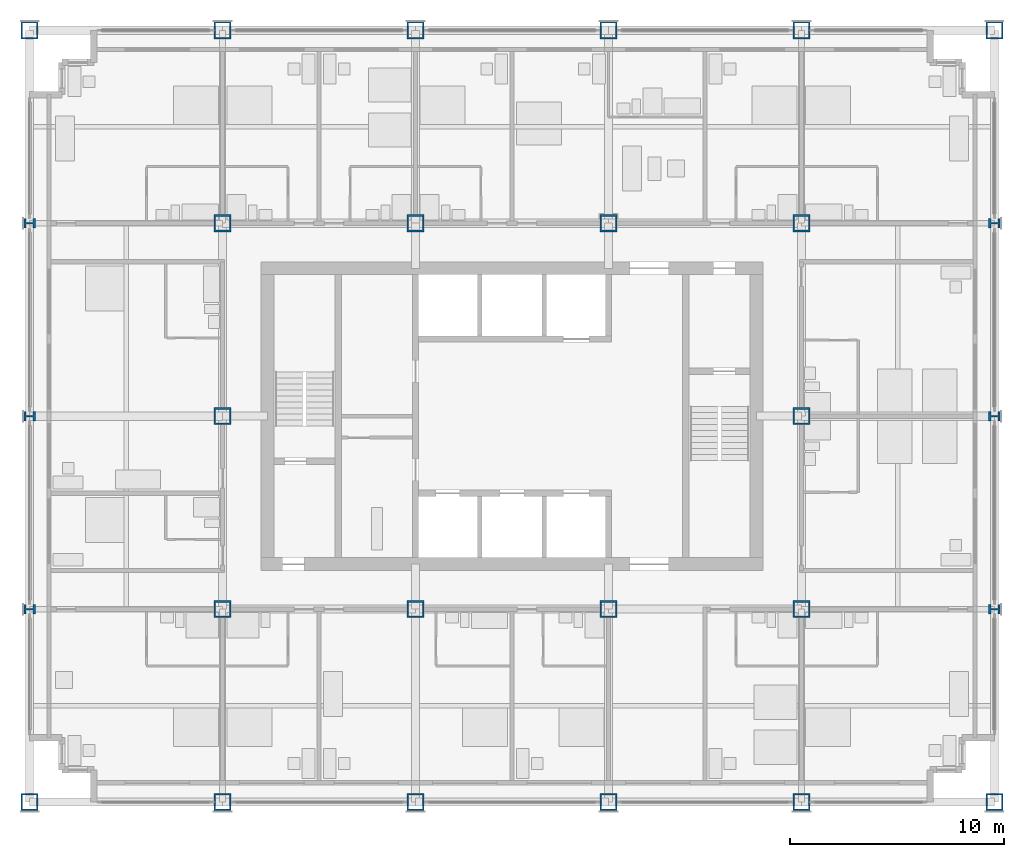
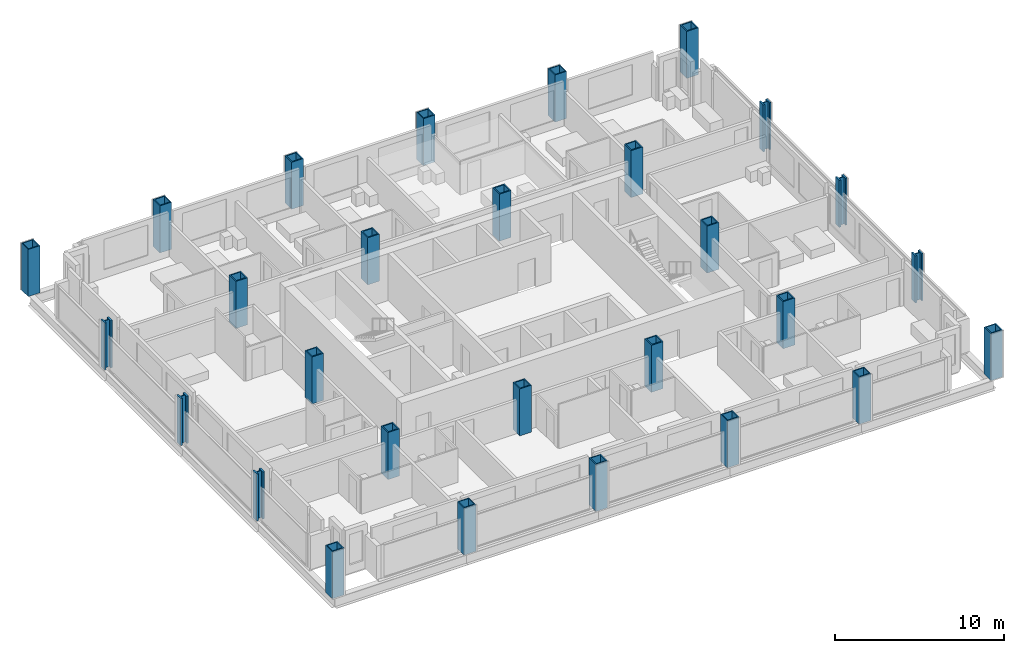
# One storey, part 1 of 16: 28 columns.
"""IFC4 building model written with IfcOpenShell, lengths in metres."""

from ifc_helpers import new_model, si_unit, direction, frame, origin, origin_2d, place, context, subcontext, project, spatial, hollow_rectangle, i_section, extrude, material, material_profile, profile_set, type_object, element, save


model = new_model("IFC4")

# Units and contexts
model_context = context("Model", 3, precision=1e-05, world=origin(), true_north=direction((0.0, 1.0)))
body_context = subcontext(model_context, "Body", "Model", "MODEL_VIEW")
ifc_project = project(units=[si_unit("LENGTHUNIT", "METRE"), si_unit("AREAUNIT", "SQUARE_METRE"), si_unit("VOLUMEUNIT", "CUBIC_METRE"), si_unit("PLANEANGLEUNIT", "RADIAN"), si_unit("MASSUNIT", "GRAM", prefix="KILO")], contexts=[model_context])

# Site, building, storey
site_placement = place(None, origin())
site = spatial("IfcSite", under=ifc_project, at=site_placement, CompositionType="ELEMENT")
building_placement = place(site_placement, origin())
building = spatial("IfcBuilding", under=site, at=building_placement, Name="Loomwork Tower", CompositionType="ELEMENT")
storey_placement = place(building_placement, frame((0.0, 0.0, 101.0)))
storey = spatial("IfcBuildingStorey", under=building, at=storey_placement, Name="L26", CompositionType="ELEMENT", Elevation=101.0)

# Columns
ifc_material_1 = material(Name="Steel ASTM A572 Grade 50 plate", Category="steel")
ifc_material_profile_1 = material_profile(ifc_material_1, hollow_rectangle(XDim=0.800048828125, YDim=0.800048828125, WallThickness=0.070068359375, at=origin_2d()), Name="BOX800x70")
ifc_profile_set_1 = profile_set([ifc_material_profile_1], Name="Steel ASTM A572 Grade 50 plate")
column_type_1 = type_object("IfcColumnType", Name="EXOSKELETON PIER BOX800x70", PredefinedType="COLUMN", material=ifc_profile_set_1)
for number, where, z_axis, x_axis, name in (
    (1, (0.0, 0.0, 0.0), (0.0, 0.0, 1.0), (1.0, 0.0, 0.0), "Exoskeleton Pier D/2 L26"),
    (2, (0.0, 36.0, 0.0), (0.0, 0.0, 1.0), (1.0, 0.0, 0.0), "Exoskeleton Pier H/2 L26"),
    (3, (9.0, 0.0, 0.0), (0.0, 0.0, 1.0), (1.0, 0.0, 0.0), "Exoskeleton Pier D/3 L26"),
    (4, (9.0, 36.0, 0.0), (0.0, 0.0, 1.0), (1.0, 0.0, 0.0), "Exoskeleton Pier H/3 L26"),
    (5, (18.0, 0.0, 0.0), (0.0, 0.0, 1.0), (1.0, 0.0, 0.0), "Exoskeleton Pier D/4 L26"),
    (6, (18.0, 36.0, 0.0), (0.0, 0.0, 1.0), (1.0, 0.0, 0.0), "Exoskeleton Pier H/4 L26"),
    (7, (27.0, 0.0, 0.0), (0.0, 0.0, 1.0), (1.0, 0.0, 0.0), "Exoskeleton Pier D/5 L26"),
    (8, (27.0, 36.0, 0.0), (0.0, 0.0, 1.0), (1.0, 0.0, 0.0), "Exoskeleton Pier H/5 L26"),
    (9, (36.0, 0.0, 0.0), (0.0, 0.0, 1.0), (1.0, 0.0, 0.0), "Exoskeleton Pier D/6 L26"),
    (10, (36.0, 36.0, 0.0), (0.0, 0.0, 1.0), (1.0, 0.0, 0.0), "Exoskeleton Pier H/6 L26"),
    (11, (45.0, 0.0, 0.0), (0.0, 0.0, 1.0), (1.0, 0.0, 0.0), "Exoskeleton Pier D/7 L26"),
    (12, (45.0, 36.0, 0.0), (0.0, 0.0, 1.0), (1.0, 0.0, 0.0), "Exoskeleton Pier H/7 L26"),
):
    element("IfcColumn", number, at=place(storey_placement, frame(where, z_axis=z_axis, x_axis=x_axis)), inside=storey, type_object=column_type_1, Name=name, PredefinedType="COLUMN", context=body_context, shape_type="SweptSolid", body=[
        extrude(hollow_rectangle(XDim=0.800048828125, YDim=0.800048828125, WallThickness=0.070068359375, at=origin_2d()), origin(), (0.0, 0.0, 1.0), 3.39990234375),
    ])
ifc_material_2 = material(Name="Steel ASTM A992", Category="steel")
ifc_material_profile_2 = material_profile(ifc_material_2, i_section(OverallWidth=0.449462890625, OverallDepth=0.548583984375, WebThickness=0.07177734375, FlangeThickness=0.11474609375, at=origin_2d()), Name="W14x665")
ifc_profile_set_2 = profile_set([ifc_material_profile_2], Name="Steel ASTM A992")
column_type_2 = type_object("IfcColumnType", Name="EXOSKELETON PIER W14x665", PredefinedType="COLUMN", material=ifc_profile_set_2)
for number, where, z_axis, x_axis, name in (
    (13, (0.0, 9.0, 0.0), (0.0, 0.0, 1.0), (0.0, 1.0, 0.0), "Exoskeleton Pier E/2 L26"),
    (14, (0.0, 18.0, 0.0), (0.0, 0.0, 1.0), (0.0, 1.0, 0.0), "Exoskeleton Pier F/2 L26"),
    (15, (0.0, 27.0, 0.0), (0.0, 0.0, 1.0), (0.0, 1.0, 0.0), "Exoskeleton Pier G/2 L26"),
    (16, (45.0, 9.0, 0.0), (0.0, 0.0, 1.0), (0.0, 1.0, 0.0), "Exoskeleton Pier E/7 L26"),
    (17, (45.0, 18.0, 0.0), (0.0, 0.0, 1.0), (0.0, 1.0, 0.0), "Exoskeleton Pier F/7 L26"),
    (18, (45.0, 27.0, 0.0), (0.0, 0.0, 1.0), (0.0, 1.0, 0.0), "Exoskeleton Pier G/7 L26"),
):
    element("IfcColumn", number, at=place(storey_placement, frame(where, z_axis=z_axis, x_axis=x_axis)), inside=storey, type_object=column_type_2, Name=name, PredefinedType="COLUMN", context=body_context, shape_type="SweptSolid", body=[
        extrude(i_section(OverallWidth=0.449462890625, OverallDepth=0.548583984375, WebThickness=0.07177734375, FlangeThickness=0.11474609375, at=origin_2d()), origin(), (0.0, 0.0, 1.0), 3.39990234375),
    ])
ifc_material_3 = material(Name="Steel ASTM A572 Grade 50 plate", Category="steel")
ifc_material_profile_3 = material_profile(ifc_material_3, hollow_rectangle(XDim=0.800048828125, YDim=0.800048828125, WallThickness=0.080078125, at=origin_2d()), Name="BOX800x80")
ifc_profile_set_3 = profile_set([ifc_material_profile_3], Name="Steel ASTM A572 Grade 50 plate")
column_type_3 = type_object("IfcColumnType", Name="TOWER COLUMN BOX800x80", PredefinedType="COLUMN", material=ifc_profile_set_3)
for number, where, z_axis, x_axis, name in (
    (19, (9.0, 9.0, 0.0), (0.0, 0.0, 1.0), (1.0, 0.0, 0.0), "Tower Column E/3 L26"),
    (20, (9.0, 18.0, 0.0), (0.0, 0.0, 1.0), (1.0, 0.0, 0.0), "Tower Column F/3 L26"),
    (21, (9.0, 27.0, 0.0), (0.0, 0.0, 1.0), (1.0, 0.0, 0.0), "Tower Column G/3 L26"),
    (22, (18.0, 9.0, 0.0), (0.0, 0.0, 1.0), (1.0, 0.0, 0.0), "Tower Column E/4 L26"),
    (23, (18.0, 27.0, 0.0), (0.0, 0.0, 1.0), (1.0, 0.0, 0.0), "Tower Column G/4 L26"),
    (24, (27.0, 9.0, 0.0), (0.0, 0.0, 1.0), (1.0, 0.0, 0.0), "Tower Column E/5 L26"),
    (25, (27.0, 27.0, 0.0), (0.0, 0.0, 1.0), (1.0, 0.0, 0.0), "Tower Column G/5 L26"),
    (26, (36.0, 9.0, 0.0), (0.0, 0.0, 1.0), (0.0, 1.0, 0.0), "Tower Column E/6 L26"),
    (27, (36.0, 18.0, 0.0), (0.0, 0.0, 1.0), (0.0, 1.0, 0.0), "Tower Column F/6 L26"),
    (28, (36.0, 27.0, 0.0), (0.0, 0.0, 1.0), (1.0, 0.0, 0.0), "Tower Column G/6 L26"),
):
    element("IfcColumn", number, at=place(storey_placement, frame(where, z_axis=z_axis, x_axis=x_axis)), inside=storey, type_object=column_type_3, Name=name, PredefinedType="COLUMN", context=body_context, shape_type="SweptSolid", body=[
        extrude(hollow_rectangle(XDim=0.800048828125, YDim=0.800048828125, WallThickness=0.080078125, at=origin_2d()), origin(), (0.0, 0.0, 1.0), 3.39990234375),
    ])

save(model, "model.ifc")
